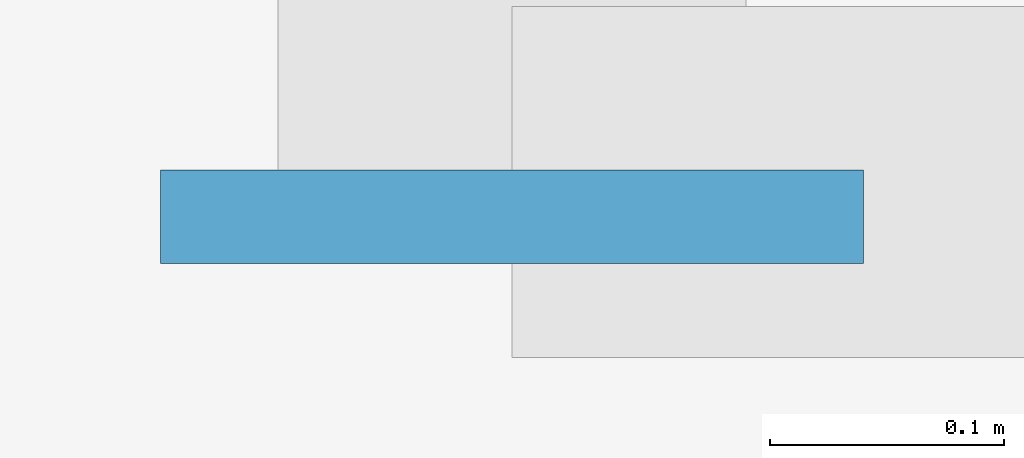
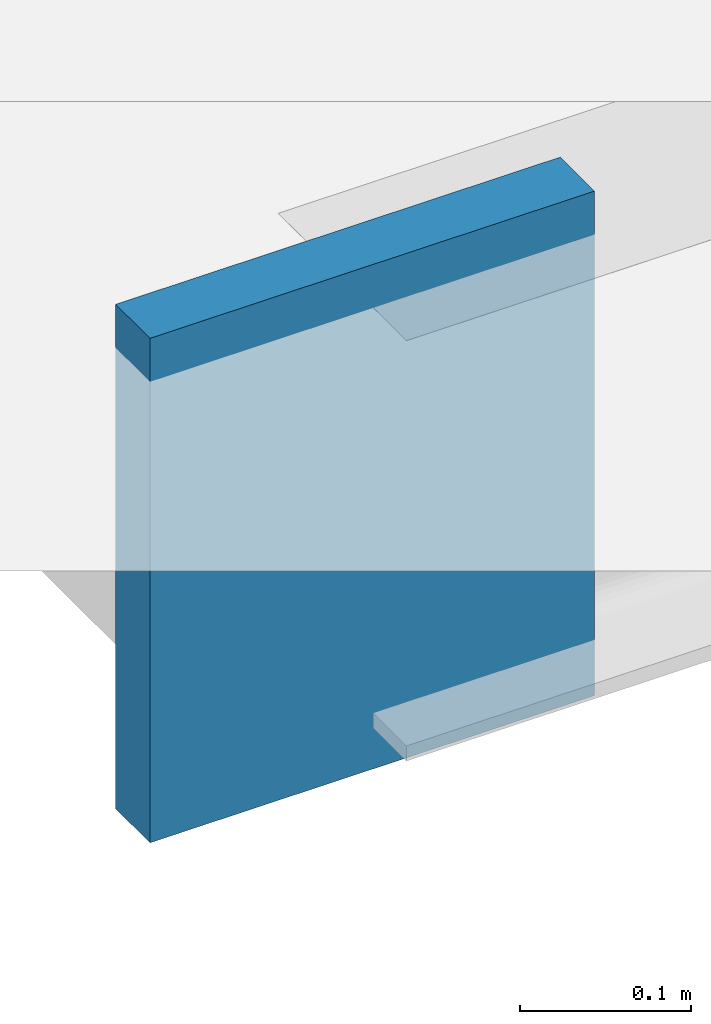
# One storey, part 19 of 28: 1 plate.
"""IFC4 building model written with IfcOpenShell, lengths in metres."""

from ifc_helpers import new_model, si_unit, direction, frame, origin, origin_2d, place, context, subcontext, project, spatial, rectangle, extrude, material, layer, layer_set, type_object, element, save


model = new_model("IFC4")

# Units and contexts
model_context = context("Model", 3, precision=1e-05, world=origin(), true_north=direction((0.0, 1.0)))
body_context = subcontext(model_context, "Body", "Model", "MODEL_VIEW")
ifc_project = project(units=[si_unit("LENGTHUNIT", "METRE"), si_unit("AREAUNIT", "SQUARE_METRE"), si_unit("VOLUMEUNIT", "CUBIC_METRE"), si_unit("PLANEANGLEUNIT", "RADIAN"), si_unit("MASSUNIT", "GRAM", prefix="KILO"), si_unit("THERMODYNAMICTEMPERATUREUNIT", "KELVIN"), si_unit("POWERUNIT", "WATT")], contexts=[model_context])

# Site, building, storey
site_placement = place(None, origin())
site = spatial("IfcSite", under=ifc_project, at=site_placement, CompositionType="ELEMENT")
building_placement = place(site_placement, origin())
building = spatial("IfcBuilding", under=site, at=building_placement, Name="Svarakhadi Broadcast Tower", CompositionType="ELEMENT")
storey_placement = place(building_placement, frame((0.0, 0.0, 123.14990234375)))
storey = spatial("IfcBuildingStorey", under=building, at=storey_placement, Name="L29", CompositionType="ELEMENT", Elevation=123.14990234375)

# Plate
ifc_material = material(Name="Steel S460ML (IS 2062 E450BR)", Category="steel")
ifc_layer = layer(ifc_material, 0.028076171875)
ifc_layer_set = layer_set([ifc_layer], Name="Steel S460ML (IS 2062 E450BR)")
plate_type = type_object("IfcPlateType", Name="Cap_Plate_CP02", PredefinedType="USERDEFINED", material=ifc_layer_set)
plate_placement = place(storey_placement, frame((-1.800048828125, 29.135009765625, -0.55517578125), z_axis=(0.0, 0.0, 1.0), x_axis=(1.0, 0.0, 0.0)))
element("IfcPlate", 1, at=plate_placement, inside=storey, type_object=plate_type, Name="L29 Balcony Spandrel End Cap Plate 2F-A", ObjectType="FLANGE_PLATE", PredefinedType="USERDEFINED", context=body_context, shape_type="SweptSolid", body=[
    extrude(rectangle(XDim=0.300048828125, YDim=0.0400390625, at=origin_2d()), origin(), (0.0, 0.0, 1.0), 0.360107421875),
])

save(model, "model.ifc")
